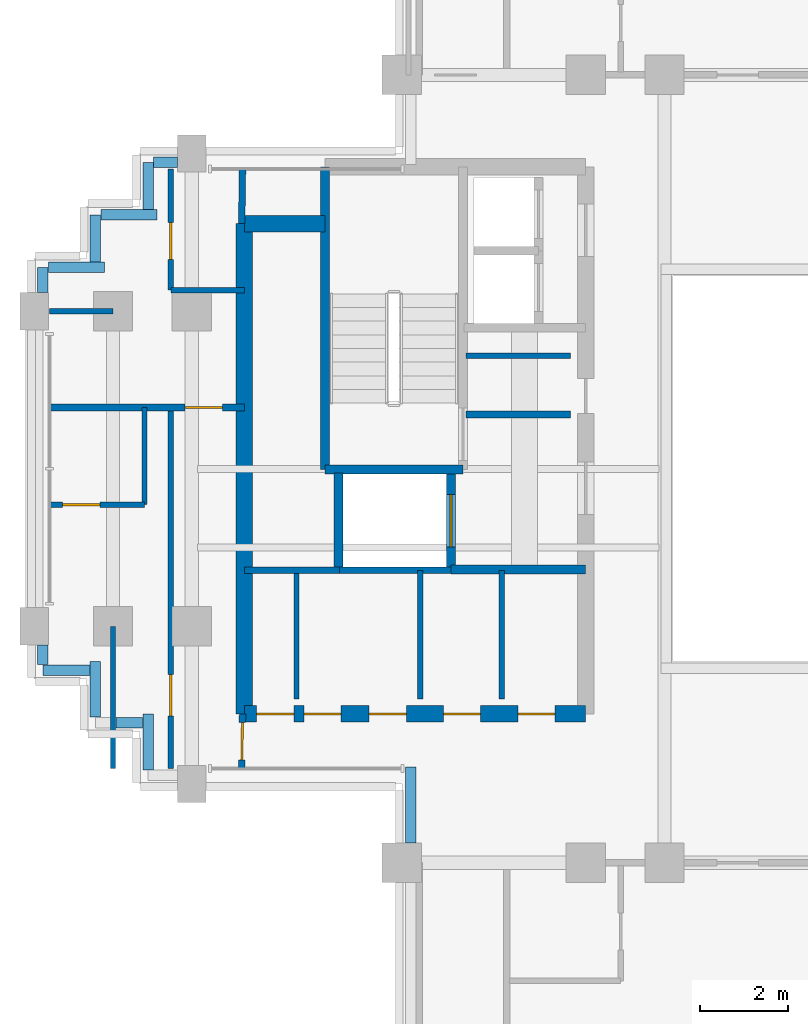
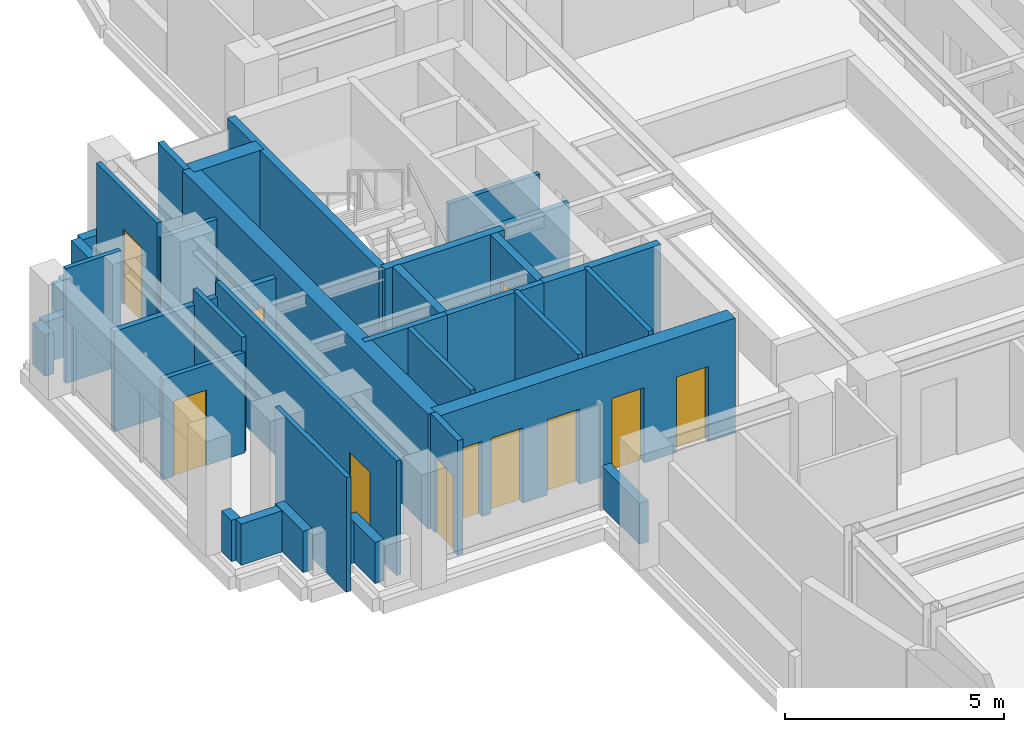
# One storey, part 6 of 12: 37 walls, 11 doors, 11 openings.
"""IFC4 building model written with IfcOpenShell, lengths in metres."""

from ifc_helpers import new_model, si_unit, direction, frame, frame_2d, origin, place, context, subcontext, project, spatial, rectangle, extrude, source, transform, mapped, material, layer, layer_set, type_object, element, fill, save


model = new_model("IFC4")

# Units and contexts
model_context = context("Model", 3, precision=1e-05, world=origin(), true_north=direction((0.0, 1.0)))
body_context = subcontext(model_context, "Body", "Model", "MODEL_VIEW")
ifc_project = project(units=[si_unit("LENGTHUNIT", "METRE"), si_unit("AREAUNIT", "SQUARE_METRE"), si_unit("VOLUMEUNIT", "CUBIC_METRE"), si_unit("PLANEANGLEUNIT", "RADIAN"), si_unit("MASSUNIT", "GRAM", prefix="KILO")], contexts=[model_context])

# Site, building, storey
site_placement = place(None, origin())
site = spatial("IfcSite", under=ifc_project, at=site_placement, CompositionType="ELEMENT")
building_placement = place(site_placement, origin())
building = spatial("IfcBuilding", under=site, at=building_placement, Name="Keilestroom Media Tower", CompositionType="ELEMENT")
storey_placement = place(building_placement, frame((0.0, 0.0, 187.60009765625)))
storey = spatial("IfcBuildingStorey", under=building, at=storey_placement, Name="L51", CompositionType="ELEMENT", Elevation=187.60009765625)

# Walls
ifc_material_1 = material(Name="Gypsum Plasterboard & Steel Stud", Category="steel")
ifc_layer_1 = layer(ifc_material_1, 0.1201171875)
ifc_layer_set_1 = layer_set([ifc_layer_1], Name="Gypsum Plasterboard & Steel Stud")
wall_type_1 = type_object("IfcWallType", Name="Interior-Partition-Wall-120", PredefinedType="PARTITIONING", material=ifc_layer_set_1)
wall_1_placement = place(storey_placement, frame((-8.139892578125, 2.580078125, 0.0), z_axis=(0.0, 0.0, 1.0), x_axis=(1.0, 0.0, 0.0)))
element("IfcWall", 1, at=wall_1_placement, inside=storey, type_object=wall_type_1, Name="L51 Interior Wall WP-L51-CNW-N", PredefinedType="PARTITIONING", context=body_context, shape_type="SweptSolid", body=[
    extrude(rectangle(XDim=2.389892578125, YDim=0.1201171875, at=frame_2d((1.19482421875, 0.0))), origin(), (0.0, 0.0, 1.0), 2.2998046875),
])
for number, where, z_axis, x_axis, name in (
    (2, (-12.010009765625, -5.260009765625, 0.0), (0.0, 0.0, 1.0), (0.0, 1.0, 0.0), "L51 Interior Wall WP-L51-RECLW-M"),
    (3, (-9.179931640625, -5.260009765625, 0.0), (0.0, 0.0, 1.0), (0.0, 1.0, 0.0), "L51 Interior Wall WP-L51-RECMW-M1"),
    (4, (-7.320068359375, -5.260009765625, 0.0), (0.0, 0.0, 1.0), (0.0, 1.0, 0.0), "L51 Interior Wall WP-L51-RECMW-M2"),
):
    element("IfcWall", number, at=place(storey_placement, frame(where, z_axis=z_axis, x_axis=x_axis)), inside=storey, type_object=wall_type_1, Name=name, PredefinedType="PARTITIONING", context=body_context, shape_type="SweptSolid", body=[
        extrude(rectangle(XDim=2.93994140625, YDim=0.1201171875, at=frame_2d((1.469970703125, 0.0))), origin(), (0.0, 0.0, 1.0), 3.199951171875),
    ])
wall_2_placement = place(storey_placement, frame((-16.199951171875, -6.85009765625, 0.0), z_axis=(0.0, 0.0, 1.0), x_axis=(0.0, 1.0, 0.0)))
element("IfcWall", 5, at=wall_2_placement, inside=storey, type_object=wall_type_1, Name="L51 Interior Wall WP-L51-HWW-C16", PredefinedType="PARTITIONING", context=body_context, shape_type="SweptSolid", body=[
    extrude(rectangle(XDim=3.25, YDim=0.1201171875, at=frame_2d((1.625, 0.0))), origin(), (0.0, 0.0, 1.0), 3.199951171875),
])
wall_3_placement = place(storey_placement, frame((-17.64990234375, 3.60009765625, 0.0), z_axis=(0.0, 0.0, 1.0), x_axis=(1.0, 0.0, 0.0)))
element("IfcWall", 6, at=wall_3_placement, inside=storey, type_object=wall_type_1, Name="L51 Interior Wall WP-L51-HWW-C36N", PredefinedType="PARTITIONING", context=body_context, shape_type="SweptSolid", body=[
    extrude(rectangle(XDim=1.449951171875, YDim=0.1201171875, at=frame_2d((0.72509765625, 0.0))), origin(), (0.0, 0.0, 1.0), 3.199951171875),
])

# Wall, opening, door
wall_4_placement = place(storey_placement, frame((-14.8798828125, -6.85009765625, 0.0), z_axis=(0.0, 0.0, 1.0), x_axis=(0.0, 1.0, 0.0)))
wall_4 = element("IfcWall", 7, at=wall_4_placement, inside=storey, type_object=wall_type_1, Name="L51 Interior Wall WP-L51-HWW-VW", PredefinedType="PARTITIONING", context=body_context, shape_type="SweptSolid", body=[
    extrude(rectangle(XDim=8.25, YDim=0.1201171875, at=frame_2d((4.125, 0.0))), origin(), (0.0, 0.0, 1.0), 3.199951171875),
])
opening_1_placement = place(wall_4_placement, frame((1.199951171875, 0.0, 0.0)))
opening_1 = element("IfcOpeningElement", 8, at=opening_1_placement, cuts=wall_4, Name="Opening DI-03", PredefinedType="OPENING", context=body_context, shape_type="SweptSolid", body=[
    extrude(rectangle(XDim=0.949951171875, YDim=2.14990234375, at=frame_2d((0.47509765625, 1.074951171875))), frame((0.0, 0.070068359375, 0.0), z_axis=(0.0, -1.0, 0.0), x_axis=(1.0, 0.0, 0.0)), (0.0, 0.0, 1.0), 0.14013671875),
])
ifc_material_2 = material(Name="Lacquered European Oak Leaf", Category="wood")
door_type_1 = type_object("IfcDoorType", Name="Interior-Room-And-Suite-Door-DI-03", OperationType="NOTDEFINED", PredefinedType="DOOR", material=ifc_material_2)
shared_shape_1 = source(origin(), body_context, "Body", "SweptSolid", [
    extrude(rectangle(XDim=0.949951171875, YDim=2.14990234375, at=frame_2d((0.47509765625, 1.074951171875))), frame((0.0, 0.02490234375, 0.0), z_axis=(0.0, -1.0, 0.0), x_axis=(1.0, 0.0, 0.0)), (0.0, 0.0, 1.0), 0.050048828125),
])
door_1_placement = place(opening_1_placement, origin())
door_1 = element("IfcDoor", 9, at=door_1_placement, inside=storey, type_object=door_type_1, Name="L51 Interior Door DI-L51-DHTL-WS", OperationType="SINGLE_SWING_LEFT", OverallHeight=2.14990234375, OverallWidth=0.949951171875, PredefinedType="DOOR", context=body_context, shape_type="MappedRepresentation", body=[
    mapped(shared_shape_1, transform((0.0, 0.0, 0.0), x_axis=(1.0, 0.0, 0.0), y_axis=(0.0, 1.0, 0.0), z_axis=(0.0, 0.0, 1.0), scale=1.0)),
])
fill(opening_1, door_1)

wall_5_placement = place(storey_placement, frame((-17.64990234375, -0.820068359375, 0.0), z_axis=(0.0, 0.0, 1.0), x_axis=(1.0, 0.0, 0.0)))
wall_5 = element("IfcWall", 10, at=wall_5_placement, inside=storey, type_object=wall_type_1, Name="L51 Interior Wall WP-L51-ENSW-WSS", PredefinedType="PARTITIONING", context=body_context, shape_type="SweptSolid", body=[
    extrude(rectangle(XDim=2.169921875, YDim=0.1201171875, at=frame_2d((1.0849609375, 0.0))), origin(), (0.0, 0.0, 1.0), 2.7998046875),
])
opening_2_placement = place(wall_5_placement, frame((0.300048828125, 0.0, 0.0)))
opening_2 = element("IfcOpeningElement", 11, at=opening_2_placement, cuts=wall_5, Name="Opening DI-05", PredefinedType="OPENING", context=body_context, shape_type="SweptSolid", body=[
    extrude(rectangle(XDim=0.85009765625, YDim=2.10009765625, at=frame_2d((0.425048828125, 1.050048828125))), frame((0.0, 0.070068359375, 0.0), z_axis=(0.0, -1.0, 0.0), x_axis=(1.0, 0.0, 0.0)), (0.0, 0.0, 1.0), 0.14013671875),
])
ifc_material_3 = material(Name="Moisture-Resistant Oak Leaf", Category="wood")
door_type_2 = type_object("IfcDoorType", Name="Interior-En-Suite-And-Cupboard-Door-DI-05", OperationType="NOTDEFINED", PredefinedType="DOOR", material=ifc_material_3)
shared_shape_2 = source(origin(), body_context, "Body", "SweptSolid", [
    extrude(rectangle(XDim=0.85009765625, YDim=2.10009765625, at=frame_2d((0.425048828125, 1.050048828125))), frame((0.0, 0.02490234375, 0.0), z_axis=(0.0, -1.0, 0.0), x_axis=(1.0, 0.0, 0.0)), (0.0, 0.0, 1.0), 0.050048828125),
])
door_2_placement = place(opening_2_placement, origin())
door_2 = element("IfcDoor", 12, at=door_2_placement, inside=storey, type_object=door_type_2, Name="L51 Interior Door DI-L51-DENS-WS", OperationType="SINGLE_SWING_RIGHT", OverallHeight=2.10009765625, OverallWidth=0.85009765625, PredefinedType="DOOR", context=body_context, shape_type="MappedRepresentation", body=[
    mapped(shared_shape_2, transform((0.0, 0.0, 0.0), x_axis=(1.0, 0.0, 0.0), y_axis=(0.0, 1.0, 0.0), z_axis=(0.0, 0.0, 1.0), scale=1.0)),
])
fill(opening_2, door_2)

# Wall
wall_6_placement = place(storey_placement, frame((-15.47998046875, -0.820068359375, 0.0), z_axis=(0.0, 0.0, 1.0), x_axis=(0.0, 1.0, 0.0)))
element("IfcWall", 13, at=wall_6_placement, inside=storey, type_object=wall_type_1, Name="L51 Interior Wall WP-L51-ENSW-WSE", PredefinedType="PARTITIONING", context=body_context, shape_type="SweptSolid", body=[
    extrude(rectangle(XDim=2.219970703125, YDim=0.1201171875, at=frame_2d((1.10986328125, 0.0))), origin(), (0.0, 0.0, 1.0), 3.199951171875),
])

# Wall, opening, door
wall_7_placement = place(storey_placement, frame((-14.8798828125, 4.080078125, 0.0), z_axis=(0.0, 0.0, 1.0), x_axis=(0.0, 1.0, 0.0)))
wall_7 = element("IfcWall", 14, at=wall_7_placement, inside=storey, type_object=wall_type_1, Name="L51 Interior Wall WP-L51-ENSW-WNW", PredefinedType="PARTITIONING", context=body_context, shape_type="SweptSolid", body=[
    extrude(rectangle(XDim=2.77001953125, YDim=0.1201171875, at=frame_2d((1.385009765625, 0.0))), origin(), (0.0, 0.0, 1.0), 3.199951171875),
])
opening_3_placement = place(wall_7_placement, frame((0.699951171875, 0.0, 0.0)))
opening_3 = element("IfcOpeningElement", 15, at=opening_3_placement, cuts=wall_7, Name="Opening DI-05", PredefinedType="OPENING", context=body_context, shape_type="SweptSolid", body=[
    extrude(rectangle(XDim=0.85009765625, YDim=2.10009765625, at=frame_2d((0.425048828125, 1.050048828125))), frame((0.0, 0.070068359375, 0.0), z_axis=(0.0, -1.0, 0.0), x_axis=(1.0, 0.0, 0.0)), (0.0, 0.0, 1.0), 0.14013671875),
])
door_3_placement = place(opening_3_placement, origin())
door_3 = element("IfcDoor", 16, at=door_3_placement, inside=storey, type_object=door_type_2, Name="L51 Interior Door DI-L51-DENS-WN", OperationType="SINGLE_SWING_RIGHT", OverallHeight=2.10009765625, OverallWidth=0.85009765625, PredefinedType="DOOR", context=body_context, shape_type="MappedRepresentation", body=[
    mapped(shared_shape_2, transform((0.0, 0.0, 0.0), x_axis=(1.0, 0.0, 0.0), y_axis=(0.0, 1.0, 0.0), z_axis=(0.0, 0.0, 1.0), scale=1.0)),
])
fill(opening_3, door_3)

# Walls
wall_8_placement = place(storey_placement, frame((-14.8798828125, 4.080078125, 0.0), z_axis=(0.0, 0.0, 1.0), x_axis=(1.0, 0.0, 0.0)))
element("IfcWall", 17, at=wall_8_placement, inside=storey, type_object=wall_type_1, Name="L51 Interior Wall WP-L51-ENSW-WNS", PredefinedType="PARTITIONING", context=body_context, shape_type="SweptSolid", body=[
    extrude(rectangle(XDim=1.679931640625, YDim=0.1201171875, at=frame_2d((0.83984375, 0.0))), origin(), (0.0, 0.0, 1.0), 2.7998046875),
])
ifc_layer_2 = layer(ifc_material_1, 0.14990234375)
ifc_layer_set_2 = layer_set([ifc_layer_2], Name="Gypsum Plasterboard & Steel Stud")
wall_type_2 = type_object("IfcWallType", Name="Interior-Partition-Wall-150", PredefinedType="PARTITIONING", material=ifc_layer_set_2)
wall_9_placement = place(storey_placement, frame((-8.139892578125, 1.239990234375, 0.0), z_axis=(0.0, 0.0, 1.0), x_axis=(1.0, 0.0, 0.0)))
element("IfcWall", 18, at=wall_9_placement, inside=storey, type_object=wall_type_2, Name="L51 Interior Wall WP-L51-FFW-TOP", PredefinedType="PARTITIONING", context=body_context, shape_type="SweptSolid", body=[
    extrude(rectangle(XDim=2.389892578125, YDim=0.14990234375, at=frame_2d((1.19482421875, 0.0))), origin(), (0.0, 0.0, 1.0), 2.2998046875),
])
wall_10_placement = place(storey_placement, frame((-13.199951171875, -2.320068359375, 0.0), z_axis=(0.0, 0.0, 1.0), x_axis=(1.0, 0.0, 0.0)))
element("IfcWall", 19, at=wall_10_placement, inside=storey, type_object=wall_type_2, Name="L51 Interior Wall WP-L51-RECLW-N", PredefinedType="PARTITIONING", context=body_context, shape_type="SweptSolid", body=[
    extrude(rectangle(XDim=2.179931640625, YDim=0.14990234375, at=frame_2d((1.08984375, 0.0))), origin(), (0.0, 0.0, 1.0), 3.199951171875),
])
wall_11_placement = place(storey_placement, frame((-11.0400390625, -2.320068359375, 0.0), z_axis=(0.0, 0.0, 1.0), x_axis=(1.0, 0.0, 0.0)))
element("IfcWall", 20, at=wall_11_placement, inside=storey, type_object=wall_type_2, Name="L51 Interior Wall WP-L51-RECMW-N", PredefinedType="PARTITIONING", context=body_context, shape_type="SweptSolid", body=[
    extrude(rectangle(XDim=2.56005859375, YDim=0.14990234375, at=frame_2d((1.280029296875, 0.0))), origin(), (0.0, 0.0, 1.0), 3.199951171875),
])

# Wall, opening, door
wall_12_placement = place(storey_placement, frame((-13.260009765625, -6.85009765625, 0.0), z_axis=(0.0, 0.0, 1.0), x_axis=(0.016013571389, 0.999871774545, 0.0)))
wall_12 = element("IfcWall", 21, at=wall_12_placement, inside=storey, type_object=wall_type_2, Name="L51 Interior Wall WP-L51-HWW-ENTS", PredefinedType="PARTITIONING", context=body_context, shape_type="SweptSolid", body=[
    extrude(rectangle(XDim=1.250244140625, YDim=0.14990234375, at=frame_2d((0.625, 0.0))), origin(), (0.0, 0.0, 1.0), 3.199951171875),
])
opening_4_placement = place(wall_12_placement, frame((0.199951171875, 0.0, 0.0)))
opening_4 = element("IfcOpeningElement", 22, at=opening_4_placement, cuts=wall_12, Name="Opening DI-05", PredefinedType="OPENING", context=body_context, shape_type="SweptSolid", body=[
    extrude(rectangle(XDim=0.85009765625, YDim=2.10009765625, at=frame_2d((0.425048828125, 1.050048828125))), frame((0.0, 0.0849609375, 0.0), z_axis=(0.0, -1.0, 0.0), x_axis=(1.0, 0.0, 0.0)), (0.0, 0.0, 1.0), 0.169921875),
])
door_4_placement = place(opening_4_placement, origin())
door_4 = element("IfcDoor", 23, at=door_4_placement, inside=storey, type_object=door_type_2, Name="L51 Interior Door DI-L51-DHWW-ENTS", OperationType="SINGLE_SWING_LEFT", OverallHeight=2.10009765625, OverallWidth=0.85009765625, PredefinedType="DOOR", context=body_context, shape_type="MappedRepresentation", body=[
    mapped(shared_shape_2, transform((0.0, 0.0, 0.0), x_axis=(1.0, 0.0, 0.0), y_axis=(0.0, 1.0, 0.0), z_axis=(0.0, 0.0, 1.0), scale=1.0)),
])
fill(opening_4, door_4)

# Wall
wall_13_placement = place(storey_placement, frame((-13.260009765625, 5.60009765625, 0.0), z_axis=(0.0, 0.0, 1.0), x_axis=(0.016013571389, 0.999871774545, 0.0)))
element("IfcWall", 24, at=wall_13_placement, inside=storey, type_object=wall_type_2, Name="L51 Interior Wall WP-L51-HWW-WNK", PredefinedType="PARTITIONING", context=body_context, shape_type="SweptSolid", body=[
    extrude(rectangle(XDim=1.250244140625, YDim=0.14990234375, at=frame_2d((0.625, 0.0))), origin(), (0.0, 0.0, 1.0), 3.199951171875),
])

# Wall, opening, door
wall_14_placement = place(storey_placement, frame((-17.64990234375, 1.39990234375, 0.0), z_axis=(0.0, 0.0, 1.0), x_axis=(1.0, 0.0, 0.0)))
wall_14 = element("IfcWall", 25, at=wall_14_placement, inside=storey, type_object=wall_type_2, Name="L51 Interior Wall WP-L51-HWW-MID", PredefinedType="PARTITIONING", context=body_context, shape_type="SweptSolid", body=[
    extrude(rectangle(XDim=4.449951171875, YDim=0.14990234375, at=frame_2d((2.22509765625, 0.0))), origin(), (0.0, 0.0, 1.0), 2.7998046875),
])
opening_5_placement = place(wall_14_placement, frame((3.10009765625, 0.0, 0.0)))
opening_5 = element("IfcOpeningElement", 26, at=opening_5_placement, cuts=wall_14, Name="Opening DI-05", PredefinedType="OPENING", context=body_context, shape_type="SweptSolid", body=[
    extrude(rectangle(XDim=0.85009765625, YDim=2.10009765625, at=frame_2d((0.425048828125, 1.050048828125))), frame((0.0, 0.0849609375, 0.0), z_axis=(0.0, -1.0, 0.0), x_axis=(1.0, 0.0, 0.0)), (0.0, 0.0, 1.0), 0.169921875),
])
door_5_placement = place(opening_5_placement, origin())
door_5 = element("IfcDoor", 27, at=door_5_placement, inside=storey, type_object=door_type_2, Name="L51 Interior Door DI-L51-DHTL-WN", OperationType="SINGLE_SWING_LEFT", OverallHeight=2.10009765625, OverallWidth=0.85009765625, PredefinedType="DOOR", context=body_context, shape_type="MappedRepresentation", body=[
    mapped(shared_shape_2, transform((0.0, 0.0, 0.0), x_axis=(1.0, 0.0, 0.0), y_axis=(0.0, 1.0, 0.0), z_axis=(0.0, 0.0, 1.0), scale=1.0)),
])
fill(opening_5, door_5)

# Walls
ifc_material_4 = material(Name="Concrete C55/67", Category="concrete")
ifc_layer_3 = layer(ifc_material_4, 0.3798828125)
ifc_layer_set_3 = layer_set([ifc_layer_3], Name="Concrete C55/67")
wall_type_3 = type_object("IfcWallType", Name="Reinforced-Concrete-Core-Shear-Wall-380", PredefinedType="SHEAR", material=ifc_layer_set_3)
wall_15_placement = place(storey_placement, frame((-13.199951171875, -5.60009765625, 0.0), z_axis=(0.0, 0.0, 1.0), x_axis=(0.0, 1.0, 0.0)))
element("IfcWall", 28, at=wall_15_placement, inside=storey, type_object=wall_type_3, Name="L51 Core Shear Wall WL-L51-CORE-W-OUT", PredefinedType="SHEAR", context=body_context, shape_type="SweptSolid", body=[
    extrude(rectangle(XDim=11.2001953125, YDim=0.3798828125, at=frame_2d((5.60009765625, 0.0))), origin(), (0.0, 0.0, 1.0), 3.199951171875),
])
wall_16_placement = place(storey_placement, frame((-13.199951171875, 5.60009765625, 0.0), z_axis=(0.0, 0.0, 1.0), x_axis=(1.0, 0.0, 0.0)))
element("IfcWall", 29, at=wall_16_placement, inside=storey, type_object=wall_type_3, Name="L51 Core Shear Wall WL-L51-CNW-N", PredefinedType="SHEAR", context=body_context, shape_type="SweptSolid", body=[
    extrude(rectangle(XDim=1.843994140625, YDim=0.3798828125, at=frame_2d((0.921875, 0.0))), origin(), (0.0, 0.0, 1.0), 3.199951171875),
])

# Wall, openings, doors
wall_17_placement = place(storey_placement, frame((-13.199951171875, -5.60009765625, 0.0), z_axis=(0.0, 0.0, 1.0), x_axis=(1.0, 0.0, 0.0)))
wall_17 = element("IfcWall", 30, at=wall_17_placement, inside=storey, type_object=wall_type_3, Name="L51 Core Shear Wall WL-L51-CORE-W-S", PredefinedType="SHEAR", context=body_context, shape_type="SweptSolid", body=[
    extrude(rectangle(XDim=7.800048828125, YDim=0.3798828125, at=frame_2d((3.89990234375, 0.0))), origin(), (0.0, 0.0, 1.0), 3.199951171875),
])
opening_6_placement = place(wall_17_placement, frame((0.280029296875, 0.0, 0.0)))
opening_6 = element("IfcOpeningElement", 31, at=opening_6_placement, cuts=wall_17, Name="Opening DI-05", PredefinedType="OPENING", context=body_context, shape_type="SweptSolid", body=[
    extrude(rectangle(XDim=0.85009765625, YDim=2.10009765625, at=frame_2d((0.425048828125, 1.050048828125))), frame((0.0, 0.199951171875, 0.0), z_axis=(0.0, -1.0, 0.0), x_axis=(1.0, 0.0, 0.0)), (0.0, 0.0, 1.0), 0.39990234375),
])
opening_7_placement = place(wall_17_placement, frame((1.360107421875, 0.0, 0.0)))
opening_7 = element("IfcOpeningElement", 32, at=opening_7_placement, cuts=wall_17, Name="Opening DI-05", PredefinedType="OPENING", context=body_context, shape_type="SweptSolid", body=[
    extrude(rectangle(XDim=0.85009765625, YDim=2.10009765625, at=frame_2d((0.425048828125, 1.050048828125))), frame((0.0, 0.199951171875, 0.0), z_axis=(0.0, -1.0, 0.0), x_axis=(1.0, 0.0, 0.0)), (0.0, 0.0, 1.0), 0.39990234375),
])
opening_8_placement = place(wall_17_placement, frame((2.85009765625, 0.0, 0.0)))
opening_8 = element("IfcOpeningElement", 33, at=opening_8_placement, cuts=wall_17, Name="Opening DI-05", PredefinedType="OPENING", context=body_context, shape_type="SweptSolid", body=[
    extrude(rectangle(XDim=0.85009765625, YDim=2.10009765625, at=frame_2d((0.425048828125, 1.050048828125))), frame((0.0, 0.199951171875, 0.0), z_axis=(0.0, -1.0, 0.0), x_axis=(1.0, 0.0, 0.0)), (0.0, 0.0, 1.0), 0.39990234375),
])
opening_9_placement = place(wall_17_placement, frame((4.550048828125, 0.0, 0.0)))
opening_9 = element("IfcOpeningElement", 34, at=opening_9_placement, cuts=wall_17, Name="Opening DI-05", PredefinedType="OPENING", context=body_context, shape_type="SweptSolid", body=[
    extrude(rectangle(XDim=0.85009765625, YDim=2.10009765625, at=frame_2d((0.425048828125, 1.050048828125))), frame((0.0, 0.199951171875, 0.0), z_axis=(0.0, -1.0, 0.0), x_axis=(1.0, 0.0, 0.0)), (0.0, 0.0, 1.0), 0.39990234375),
])
opening_10_placement = place(wall_17_placement, frame((6.25, 0.0, 0.0)))
opening_10 = element("IfcOpeningElement", 35, at=opening_10_placement, cuts=wall_17, Name="Opening DI-05", PredefinedType="OPENING", context=body_context, shape_type="SweptSolid", body=[
    extrude(rectangle(XDim=0.85009765625, YDim=2.10009765625, at=frame_2d((0.425048828125, 1.050048828125))), frame((0.0, 0.199951171875, 0.0), z_axis=(0.0, -1.0, 0.0), x_axis=(1.0, 0.0, 0.0)), (0.0, 0.0, 1.0), 0.39990234375),
])
door_6_placement = place(opening_6_placement, origin())
door_6 = element("IfcDoor", 36, at=door_6_placement, inside=storey, type_object=door_type_2, Name="L51 Reclaimed West Closet 1 Door", OperationType="SINGLE_SWING_LEFT", OverallHeight=2.10009765625, OverallWidth=0.85009765625, PredefinedType="DOOR", context=body_context, shape_type="MappedRepresentation", body=[
    mapped(shared_shape_2, transform((0.0, 0.0, 0.0), x_axis=(1.0, 0.0, 0.0), y_axis=(0.0, 1.0, 0.0), z_axis=(0.0, 0.0, 1.0), scale=1.0)),
])
fill(opening_6, door_6)
door_7_placement = place(opening_7_placement, origin())
door_7 = element("IfcDoor", 37, at=door_7_placement, inside=storey, type_object=door_type_2, Name="L51 Reclaimed West Closet 2 Door", OperationType="SINGLE_SWING_RIGHT", OverallHeight=2.10009765625, OverallWidth=0.85009765625, PredefinedType="DOOR", context=body_context, shape_type="MappedRepresentation", body=[
    mapped(shared_shape_2, transform((0.0, 0.0, 0.0), x_axis=(1.0, 0.0, 0.0), y_axis=(0.0, 1.0, 0.0), z_axis=(0.0, 0.0, 1.0), scale=1.0)),
])
fill(opening_7, door_7)
door_8_placement = place(opening_8_placement, origin())
door_8 = element("IfcDoor", 38, at=door_8_placement, inside=storey, type_object=door_type_2, Name="L51 Reclaimed Mid West Room 1 Door", OperationType="SINGLE_SWING_LEFT", OverallHeight=2.10009765625, OverallWidth=0.85009765625, PredefinedType="DOOR", context=body_context, shape_type="MappedRepresentation", body=[
    mapped(shared_shape_2, transform((0.0, 0.0, 0.0), x_axis=(1.0, 0.0, 0.0), y_axis=(0.0, 1.0, 0.0), z_axis=(0.0, 0.0, 1.0), scale=1.0)),
])
fill(opening_8, door_8)
door_9_placement = place(opening_9_placement, origin())
door_9 = element("IfcDoor", 39, at=door_9_placement, inside=storey, type_object=door_type_2, Name="L51 Reclaimed Mid West Room 2 Door", OperationType="SINGLE_SWING_LEFT", OverallHeight=2.10009765625, OverallWidth=0.85009765625, PredefinedType="DOOR", context=body_context, shape_type="MappedRepresentation", body=[
    mapped(shared_shape_2, transform((0.0, 0.0, 0.0), x_axis=(1.0, 0.0, 0.0), y_axis=(0.0, 1.0, 0.0), z_axis=(0.0, 0.0, 1.0), scale=1.0)),
])
fill(opening_9, door_9)
door_10_placement = place(opening_10_placement, origin())
door_10 = element("IfcDoor", 40, at=door_10_placement, inside=storey, type_object=door_type_2, Name="L51 Reclaimed Mid West Room 3 Door", OperationType="SINGLE_SWING_RIGHT", OverallHeight=2.10009765625, OverallWidth=0.85009765625, PredefinedType="DOOR", context=body_context, shape_type="MappedRepresentation", body=[
    mapped(shared_shape_2, transform((0.0, 0.0, 0.0), x_axis=(1.0, 0.0, 0.0), y_axis=(0.0, 1.0, 0.0), z_axis=(0.0, 0.0, 1.0), scale=1.0)),
])
fill(opening_10, door_10)

# Walls
ifc_material_5 = material(Name="Concrete C50/60", Category="concrete")
ifc_layer_4 = layer(ifc_material_5, 0.199951171875)
ifc_layer_set_4 = layer_set([ifc_layer_4], Name="Concrete C50/60")
wall_type_4 = type_object("IfcWallType", Name="Reinforced-Concrete-Shaft-Wall-200", PredefinedType="SOLIDWALL", material=ifc_layer_set_4)
wall_18_placement = place(storey_placement, frame((-8.47998046875, -2.300048828125, 0.0), z_axis=(0.0, 0.0, 1.0), x_axis=(1.0, 0.0, 0.0)))
element("IfcWall", 41, at=wall_18_placement, inside=storey, type_object=wall_type_4, Name="L51 Core Shear Wall WL-L51-CORE-W-FFS", PredefinedType="SOLIDWALL", context=body_context, shape_type="SweptSolid", body=[
    extrude(rectangle(XDim=3.080078125, YDim=0.199951171875, at=frame_2d((1.5400390625, 0.0))), origin(), (0.0, 0.0, 1.0), 3.199951171875),
])
wall_19_placement = place(storey_placement, frame((-11.35595703125, -0.01611328125, 0.0), z_axis=(0.0, 0.0, 1.0), x_axis=(0.0, 1.0, 0.0)))
element("IfcWall", 42, at=wall_19_placement, inside=storey, type_object=wall_type_4, Name="L51 Core Shear Wall WL-L51-STW-W-FAR", PredefinedType="SOLIDWALL", context=body_context, shape_type="SweptSolid", body=[
    extrude(rectangle(XDim=6.916015625, YDim=0.199951171875, at=frame_2d((3.4580078125, 0.0))), origin(), (0.0, 0.0, 1.0), 3.199951171875),
])
wall_20_placement = place(storey_placement, frame((-11.35595703125, -0.01611328125, 0.0), z_axis=(0.0, 0.0, 1.0), x_axis=(1.0, 0.0, 0.0)))
element("IfcWall", 43, at=wall_20_placement, inside=storey, type_object=wall_type_4, Name="L51 Core Shear Wall WL-L51-STW-W-S", PredefinedType="SOLIDWALL", context=body_context, shape_type="SweptSolid", body=[
    extrude(rectangle(XDim=3.15185546875, YDim=0.199951171875, at=frame_2d((1.575927734375, 0.0))), origin(), (0.0, 0.0, 1.0), 3.199951171875),
])
wall_21_placement = place(storey_placement, frame((-11.050048828125, -2.280029296875, 0.0), z_axis=(0.0, 0.0, 1.0), x_axis=(0.0, 1.0, 0.0)))
element("IfcWall", 44, at=wall_21_placement, inside=storey, type_object=wall_type_4, Name="L51 Core Shear Wall WL-L51-LSH-FFL-1-W", PredefinedType="SOLIDWALL", context=body_context, shape_type="SweptSolid", body=[
    extrude(rectangle(XDim=2.179931640625, YDim=0.199951171875, at=frame_2d((1.08984375, 0.0))), origin(), (0.0, 0.0, 1.0), 3.199951171875),
])

# Wall, opening, door
wall_22_placement = place(storey_placement, frame((-8.47998046875, -2.280029296875, 0.0), z_axis=(0.0, 0.0, 1.0), x_axis=(0.0, 1.0, 0.0)))
wall_22 = element("IfcWall", 45, at=wall_22_placement, inside=storey, type_object=wall_type_4, Name="L51 Core Shear Wall WL-L51-LSH-FFL-1-E", PredefinedType="SOLIDWALL", context=body_context, shape_type="SweptSolid", body=[
    extrude(rectangle(XDim=2.179931640625, YDim=0.199951171875, at=frame_2d((1.08984375, 0.0))), origin(), (0.0, 0.0, 1.0), 3.199951171875),
])
opening_11_placement = place(wall_22_placement, frame((0.489990234375, 0.0, 0.0)))
opening_11 = element("IfcOpeningElement", 46, at=opening_11_placement, cuts=wall_22, Name="Opening LD-02", PredefinedType="OPENING", context=body_context, shape_type="SweptSolid", body=[
    extrude(rectangle(XDim=1.199951171875, YDim=2.199951171875, at=frame_2d((0.60009765625, 1.10009765625))), frame((0.0, 0.10986328125, 0.0), z_axis=(0.0, -1.0, 0.0), x_axis=(1.0, 0.0, 0.0)), (0.0, 0.0, 1.0), 0.219970703125),
])
ifc_material_6 = material(Name="Brushed Stainless Steel Sliding Leaf", Category="steel")
door_type_3 = type_object("IfcDoorType", Name="Lift-Landing-Sliding-Door-LD-02", OperationType="SLIDING_TO_RIGHT", PredefinedType="DOOR", material=ifc_material_6)
shared_shape_3 = source(origin(), body_context, "Body", "SweptSolid", [
    extrude(rectangle(XDim=1.199951171875, YDim=2.199951171875, at=frame_2d((0.60009765625, 1.10009765625))), frame((0.0, 0.02490234375, 0.0), z_axis=(0.0, -1.0, 0.0), x_axis=(1.0, 0.0, 0.0)), (0.0, 0.0, 1.0), 0.050048828125),
])
door_11_placement = place(opening_11_placement, origin())
door_11 = element("IfcDoor", 47, at=door_11_placement, inside=storey, type_object=door_type_3, Name="L51 Lift FFL-1 Landing Sliding Door", OperationType="SLIDING_TO_RIGHT", OverallHeight=2.199951171875, OverallWidth=1.199951171875, PredefinedType="DOOR", context=body_context, shape_type="MappedRepresentation", body=[
    mapped(shared_shape_3, transform((0.0, 0.0, 0.0), x_axis=(1.0, 0.0, 0.0), y_axis=(0.0, 1.0, 0.0), z_axis=(0.0, 0.0, 1.0), scale=1.0)),
])
fill(opening_11, door_11)

# Walls
ifc_material_7 = material(Name="Precast concrete C40/50", Category="concrete")
ifc_layer_5 = layer(ifc_material_7, 0.239990234375)
ifc_layer_set_5 = layer_set([ifc_layer_5], Name="Precast concrete C40/50")
wall_type_5 = type_object("IfcWallType", Name="Roof-And-Terrace-Parapet-Wall-240", PredefinedType="PARAPET", material=ifc_layer_set_5)
wall_23_placement = place(storey_placement, frame((-9.39990234375, -8.547119140625, 0.0), z_axis=(0.0, 0.0, 1.0), x_axis=(0.0, 1.0, 0.0)))
element("IfcWall", 48, at=wall_23_placement, inside=storey, type_object=wall_type_5, Name="L51 Perimeter Edge Parapet Wall 12", PredefinedType="PARAPET", context=body_context, shape_type="SweptSolid", body=[
    extrude(rectangle(XDim=1.728271484375, YDim=0.239990234375, at=frame_2d((0.8642578125, 0.0))), origin(), (0.0, 0.0, 1.0), 1.14990234375),
])
wall_24_placement = place(storey_placement, frame((-15.39990234375, -6.876953125, 0.0), z_axis=(0.0, 0.0, 1.0), x_axis=(0.0, 1.0, 0.0)))
element("IfcWall", 49, at=wall_24_placement, inside=storey, type_object=wall_type_5, Name="L51 Perimeter Edge Parapet Wall 14", PredefinedType="PARAPET", context=body_context, shape_type="SweptSolid", body=[
    extrude(rectangle(XDim=1.27685546875, YDim=0.239990234375, at=frame_2d((0.638427734375, 0.0))), origin(), (0.0, 0.0, 1.0), 1.14990234375),
])
wall_25_placement = place(storey_placement, frame((-15.52294921875, -5.800048828125, 0.0), z_axis=(0.0, 0.0, 1.0), x_axis=(-1.0, 0.0, 0.0)))
element("IfcWall", 50, at=wall_25_placement, inside=storey, type_object=wall_type_5, Name="L51 Perimeter Edge Parapet Wall 15", PredefinedType="PARAPET", context=body_context, shape_type="SweptSolid", body=[
    extrude(rectangle(XDim=0.614013671875, YDim=0.239990234375, at=frame_2d((0.30712890625, 0.0))), origin(), (0.0, 0.0, 1.0), 1.14990234375),
])
wall_26_placement = place(storey_placement, frame((-16.60009765625, -5.677001953125, 0.0), z_axis=(0.0, 0.0, 1.0), x_axis=(0.0, 1.0, 0.0)))
element("IfcWall", 51, at=wall_26_placement, inside=storey, type_object=wall_type_5, Name="L51 Perimeter Edge Parapet Wall 17", PredefinedType="PARAPET", context=body_context, shape_type="SweptSolid", body=[
    extrude(rectangle(XDim=1.277099609375, YDim=0.239990234375, at=frame_2d((0.638671875, 0.0))), origin(), (0.0, 0.0, 1.0), 1.14990234375),
])
wall_27_placement = place(storey_placement, frame((-16.722900390625, -4.60009765625, 0.0), z_axis=(0.0, 0.0, 1.0), x_axis=(-1.0, 0.0, 0.0)))
element("IfcWall", 52, at=wall_27_placement, inside=storey, type_object=wall_type_5, Name="L51 Perimeter Edge Parapet Wall 18", PredefinedType="PARAPET", context=body_context, shape_type="SweptSolid", body=[
    extrude(rectangle(XDim=1.0771484375, YDim=0.239990234375, at=frame_2d((0.53857421875, 0.0))), origin(), (0.0, 0.0, 1.0), 1.14990234375),
])
wall_28_placement = place(storey_placement, frame((-17.800048828125, -4.47705078125, 0.0), z_axis=(0.0, 0.0, 1.0), x_axis=(0.0, 1.0, 0.0)))
element("IfcWall", 53, at=wall_28_placement, inside=storey, type_object=wall_type_5, Name="L51 Perimeter Edge Parapet Wall 19", PredefinedType="PARAPET", context=body_context, shape_type="SweptSolid", body=[
    extrude(rectangle(XDim=0.448974609375, YDim=0.239990234375, at=frame_2d((0.224609375, 0.0))), origin(), (0.0, 0.0, 1.0), 1.14990234375),
])
wall_29_placement = place(storey_placement, frame((-17.800048828125, 4.028076171875, 0.0), z_axis=(0.0, 0.0, 1.0), x_axis=(0.0, 1.0, 0.0)))
element("IfcWall", 54, at=wall_29_placement, inside=storey, type_object=wall_type_5, Name="L51 Perimeter Edge Parapet Wall 20", PredefinedType="PARAPET", context=body_context, shape_type="SweptSolid", body=[
    extrude(rectangle(XDim=0.572021484375, YDim=0.239990234375, at=frame_2d((0.2861328125, 0.0))), origin(), (0.0, 0.0, 1.0), 1.14990234375),
])
wall_30_placement = place(storey_placement, frame((-17.677001953125, 4.60009765625, 0.0), z_axis=(0.0, 0.0, 1.0), x_axis=(1.0, 0.0, 0.0)))
element("IfcWall", 55, at=wall_30_placement, inside=storey, type_object=wall_type_5, Name="L51 Perimeter Edge Parapet Wall 21", PredefinedType="PARAPET", context=body_context, shape_type="SweptSolid", body=[
    extrude(rectangle(XDim=1.277099609375, YDim=0.239990234375, at=frame_2d((0.638671875, 0.0))), origin(), (0.0, 0.0, 1.0), 1.14990234375),
])
wall_31_placement = place(storey_placement, frame((-16.60009765625, 4.722900390625, 0.0), z_axis=(0.0, 0.0, 1.0), x_axis=(0.0, 1.0, 0.0)))
element("IfcWall", 56, at=wall_31_placement, inside=storey, type_object=wall_type_5, Name="L51 Perimeter Edge Parapet Wall 22", PredefinedType="PARAPET", context=body_context, shape_type="SweptSolid", body=[
    extrude(rectangle(XDim=1.0771484375, YDim=0.239990234375, at=frame_2d((0.53857421875, 0.0))), origin(), (0.0, 0.0, 1.0), 1.14990234375),
])
wall_32_placement = place(storey_placement, frame((-16.47705078125, 5.800048828125, 0.0), z_axis=(0.0, 0.0, 1.0), x_axis=(1.0, 0.0, 0.0)))
element("IfcWall", 57, at=wall_32_placement, inside=storey, type_object=wall_type_5, Name="L51 Perimeter Edge Parapet Wall 23", PredefinedType="PARAPET", context=body_context, shape_type="SweptSolid", body=[
    extrude(rectangle(XDim=1.277099609375, YDim=0.239990234375, at=frame_2d((0.638671875, 0.0))), origin(), (0.0, 0.0, 1.0), 1.14990234375),
])
wall_33_placement = place(storey_placement, frame((-15.39990234375, 5.923095703125, 0.0), z_axis=(0.0, 0.0, 1.0), x_axis=(0.0, 1.0, 0.0)))
element("IfcWall", 58, at=wall_33_placement, inside=storey, type_object=wall_type_5, Name="L51 Perimeter Edge Parapet Wall 24", PredefinedType="PARAPET", context=body_context, shape_type="SweptSolid", body=[
    extrude(rectangle(XDim=1.076904296875, YDim=0.239990234375, at=frame_2d((0.53857421875, 0.0))), origin(), (0.0, 0.0, 1.0), 1.14990234375),
])
wall_34_placement = place(storey_placement, frame((-15.277099609375, 7.0, 0.0), z_axis=(0.0, 0.0, 1.0), x_axis=(1.0, 0.0, 0.0)))
element("IfcWall", 59, at=wall_34_placement, inside=storey, type_object=wall_type_5, Name="L51 Perimeter Edge Parapet Wall 25", PredefinedType="PARAPET", context=body_context, shape_type="SweptSolid", body=[
    extrude(rectangle(XDim=0.549072265625, YDim=0.239990234375, at=frame_2d((0.2744140625, 0.0))), origin(), (0.0, 0.0, 1.0), 1.14990234375),
])

save(model, "model.ifc")
